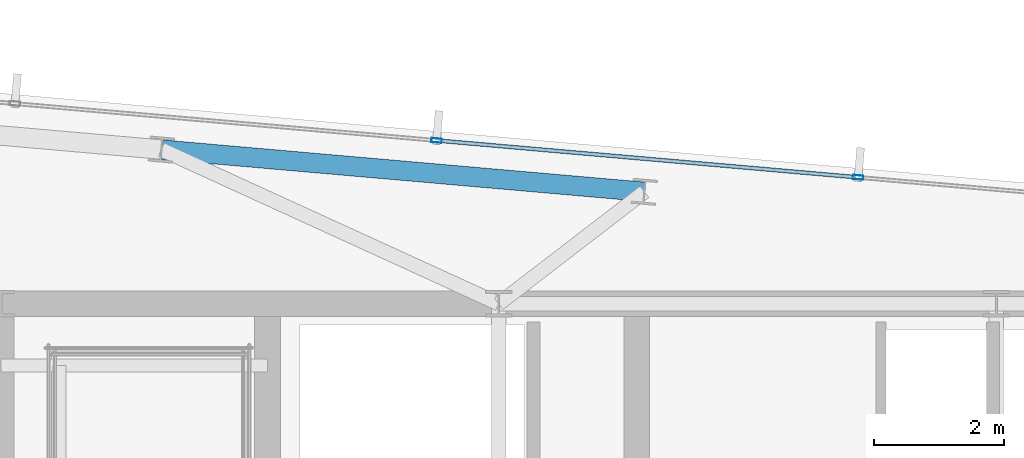
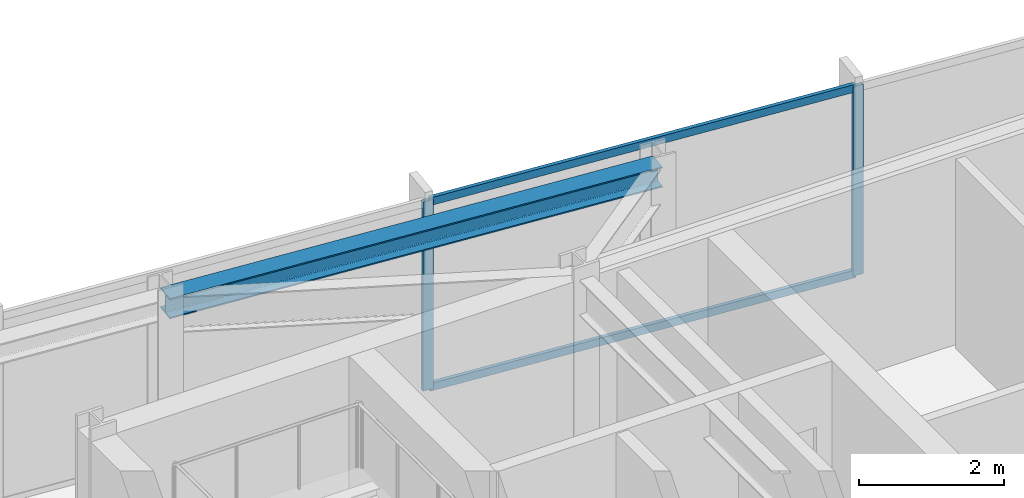
# One storey, part 25 of 32: 4 members, 1 beam, 1 element without a shape of its own.
"""IFC4 building model written with IfcOpenShell, lengths in metres."""

from ifc_helpers import new_model, si_unit, direction, frame, origin, origin_2d, place, context, subcontext, project, spatial, hollow_rectangle, i_section, extrude, material, material_profile, profile_set, type_object, element, aggregate, save


model = new_model("IFC4")

# Units and contexts
model_context = context("Model", 3, precision=1e-05, world=origin(), true_north=direction((0.0, 1.0)))
body_context = subcontext(model_context, "Body", "Model", "MODEL_VIEW")
ifc_project = project(units=[si_unit("LENGTHUNIT", "METRE"), si_unit("AREAUNIT", "SQUARE_METRE"), si_unit("VOLUMEUNIT", "CUBIC_METRE"), si_unit("PLANEANGLEUNIT", "RADIAN"), si_unit("MASSUNIT", "GRAM", prefix="KILO")], contexts=[model_context])

# Site, building, storey
site_placement = place(None, origin())
site = spatial("IfcSite", under=ifc_project, at=site_placement, CompositionType="ELEMENT")
building_placement = place(site_placement, origin())
building = spatial("IfcBuilding", under=site, at=building_placement, Name="Yelkora Congress Tower", CompositionType="ELEMENT")
storey_placement = place(building_placement, frame((0.0, 0.0, 265.89990234375)))
storey = spatial("IfcBuildingStorey", under=building, at=storey_placement, Name="L74", CompositionType="ELEMENT", Elevation=265.89990234375)

# Beam
ifc_material_1 = material(Name="Steel S355J2", Category="steel")
ifc_material_profile_1 = material_profile(ifc_material_1, i_section(OverallWidth=0.300048828125, OverallDepth=0.340087890625, WebThickness=0.011962890625, FlangeThickness=0.021484375, FilletRadius=0.027099609375, at=origin_2d()), Name="HEB 340")
ifc_profile_set_1 = profile_set([ifc_material_profile_1], Name="Steel S355J2")
beam_type = type_object("IfcBeamType", Name="BM-SPAN-HEB340", PredefinedType="SPANDREL", material=ifc_profile_set_1)
beam_placement = place(storey_placement, frame((32.968505859375, 47.927490234375, 3.010009765625), z_axis=(-0.996195771192, 0.087143476284, 0.0), x_axis=(-0.087143476284, -0.996195771192, 0.0)))
element("IfcBeam", 1, at=beam_placement, inside=storey, type_object=beam_type, Name="L74 Perimeter Beam 10", PredefinedType="SPANDREL", context=body_context, shape_type="SweptSolid", body=[
    extrude(i_section(OverallWidth=0.300048828125, OverallDepth=0.340087890625, WebThickness=0.011962890625, FlangeThickness=0.021484375, FilletRadius=0.027099609375, at=origin_2d()), origin(), (0.0, 0.0, 1.0), 7.483154296875),
])

# Curtain wall, members
ifc_material_2 = material(Name="Anodised aluminium and insulated glass", Category="aluminium")
curtain_wall_type = type_object("IfcCurtainWallType", Name="CW-SYS-B5", PredefinedType="NOTDEFINED", material=ifc_material_2)
curtain_wall_placement = place(storey_placement, origin())
curtain_wall = element("IfcCurtainWall", 2, at=curtain_wall_placement, inside=storey, type_object=curtain_wall_type, Name="L74 Unitised Curtain Wall 10", PredefinedType="NOTDEFINED")
ifc_material_3 = material(Name="Anodised aluminium 6063-T6", Category="aluminium")
ifc_material_profile_2 = material_profile(ifc_material_3, hollow_rectangle(XDim=0.06494140625, YDim=0.159912109375, WallThickness=0.00390625, at=origin_2d()), Name="ALU 65x160x4")
ifc_profile_set_2 = profile_set([ifc_material_profile_2], Name="Anodised aluminium 6063-T6")
member_type_1 = type_object("IfcMemberType", Name="MEM-ML-B5", PredefinedType="MULLION", material=ifc_profile_set_2)
member_1_placement = place(storey_placement, frame((29.759765625, 48.719970703125, 0.0), z_axis=(0.0, 0.0, 1.0), x_axis=(0.087156639893, 0.996194619601, 0.0)))
member_1 = element("IfcMember", 3, at=member_1_placement, type_object=member_type_1, Name="CW-B5 mullion 4", PredefinedType="MULLION", context=body_context, shape_type="SweptSolid", body=[
    extrude(hollow_rectangle(XDim=0.06494140625, YDim=0.159912109375, WallThickness=0.00390625, at=origin_2d()), origin(), (0.0, 0.0, 1.0), 3.18017578125),
])
member_2_placement = place(storey_placement, frame((36.266357421875, 48.15087890625, 0.0), z_axis=(0.0, 0.0, 1.0), x_axis=(0.087156639893, 0.996194619601, 0.0)))
member_2 = element("IfcMember", 4, at=member_2_placement, type_object=member_type_1, Name="CW-B5 mullion 5", PredefinedType="MULLION", context=body_context, shape_type="SweptSolid", body=[
    extrude(hollow_rectangle(XDim=0.06494140625, YDim=0.159912109375, WallThickness=0.00390625, at=origin_2d()), origin(), (0.0, 0.0, 1.0), 3.18017578125),
])
ifc_material_profile_3 = material_profile(ifc_material_3, hollow_rectangle(XDim=0.06005859375, YDim=0.1298828125, WallThickness=0.00390625, at=origin_2d()), Name="ALU 60x130x4")
ifc_profile_set_3 = profile_set([ifc_material_profile_3], Name="Anodised aluminium 6063-T6")
member_type_2 = type_object("IfcMemberType", Name="MEM-TR-B5", PredefinedType="USERDEFINED", material=ifc_profile_set_3)
member_3_placement = place(storey_placement, frame((29.7919921875, 48.71728515625, 0.030029296875), z_axis=(0.996192979814, -0.08717538052, 0.0), x_axis=(0.08717538052, 0.996192979814, 0.0)))
member_3 = element("IfcMember", 5, at=member_3_placement, type_object=member_type_2, Name="CW-B5 transom 4.1", ObjectType="TRANSOM", PredefinedType="USERDEFINED", context=body_context, shape_type="SweptSolid", body=[
    extrude(hollow_rectangle(XDim=0.06005859375, YDim=0.1298828125, WallThickness=0.00390625, at=origin_2d()), origin(), (0.0, 0.0, 1.0), 6.466552734375),
])
member_4_placement = place(storey_placement, frame((29.7919921875, 48.71728515625, 3.150146484375), z_axis=(0.996192979814, -0.08717538052, 0.0), x_axis=(0.08717538052, 0.996192979814, 0.0)))
member_4 = element("IfcMember", 6, at=member_4_placement, type_object=member_type_2, Name="CW-B5 transom 4.2", ObjectType="TRANSOM", PredefinedType="USERDEFINED", context=body_context, shape_type="SweptSolid", body=[
    extrude(hollow_rectangle(XDim=0.06005859375, YDim=0.1298828125, WallThickness=0.00390625, at=origin_2d()), origin(), (0.0, 0.0, 1.0), 6.466552734375),
])
aggregate(curtain_wall, [member_1, member_2, member_3, member_4])

save(model, "model.ifc")
